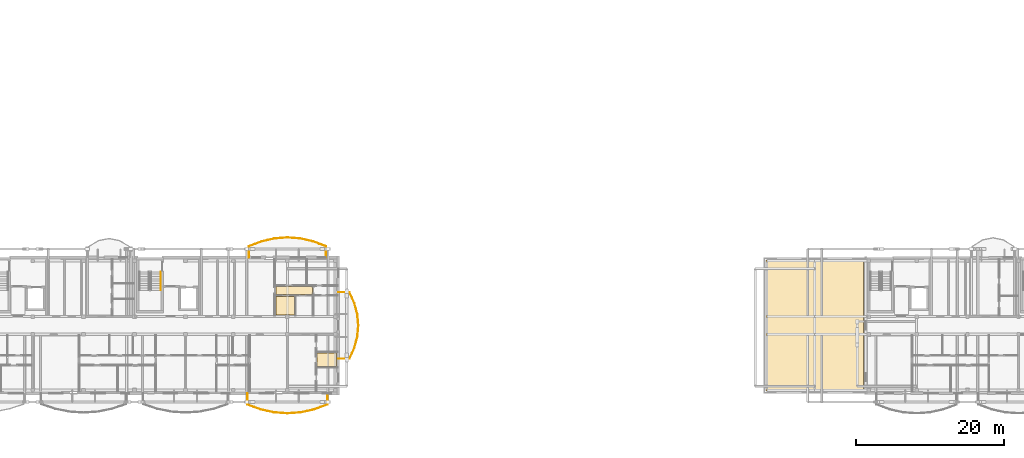
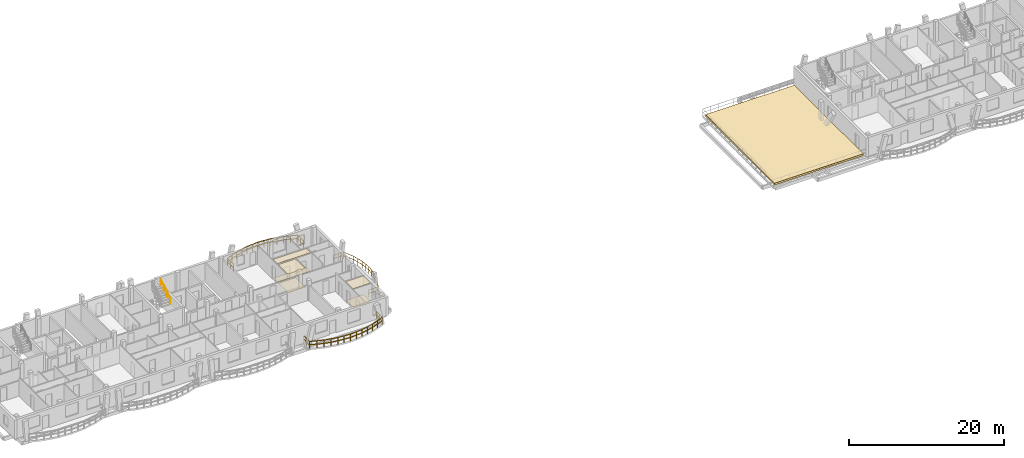
# One storey, part 39 of 48: 7 coverings, 4 railings.
"""IFC4 building model written with IfcOpenShell, lengths in metres."""

from ifc_helpers import new_model, si_unit, direction, frame, origin, origin_2d, place, context, subcontext, project, spatial, polyline, rectangle, outline, extrude, material, layer, layer_set, type_object, element, save


model = new_model("IFC4")

# Units and contexts
model_context = context("Model", 3, precision=1e-05, world=origin(), true_north=direction((0.0, 1.0)))
body_context = subcontext(model_context, "Body", "Model", "MODEL_VIEW")
ifc_project = project(units=[si_unit("LENGTHUNIT", "METRE"), si_unit("AREAUNIT", "SQUARE_METRE"), si_unit("VOLUMEUNIT", "CUBIC_METRE"), si_unit("PLANEANGLEUNIT", "RADIAN"), si_unit("MASSUNIT", "GRAM", prefix="KILO")], contexts=[model_context])

# Site, building, storey
site_placement = place(None, origin())
site = spatial("IfcSite", under=ifc_project, at=site_placement, CompositionType="ELEMENT")
building_placement = place(site_placement, origin())
building = spatial("IfcBuilding", under=site, at=building_placement, Name="Zavelmont Quarter", CompositionType="ELEMENT")
storey_placement = place(building_placement, frame((0.0, 0.0, 17.60009765625)))
storey = spatial("IfcBuildingStorey", under=building, at=storey_placement, Name="L05", CompositionType="ELEMENT", Elevation=17.60009765625)

# Coverings
ifc_material_1 = material(Name="Perforated acoustic gypsum board")
ifc_layer_1 = layer(ifc_material_1, 0.02490234375)
ifc_layer_set_1 = layer_set([ifc_layer_1], Name="Perforated acoustic gypsum board")
covering_type_1 = type_object("IfcCoveringType", Name="CV-CL01", PredefinedType="CEILING", material=ifc_layer_set_1)
covering_1_placement = place(storey_placement, frame((0.0, 0.0, 2.9248046875)))
element("IfcCovering", 1, at=covering_1_placement, inside=storey, type_object=covering_type_1, Name="L05 Kitchen acoustic ceiling", PredefinedType="CEILING", context=body_context, shape_type="SweptSolid", body=[
    extrude(outline(polyline([(46.72998046875, 13.1201171875), (49.27001953125, 13.1201171875), (49.27001953125, 10.6298828125), (48.590087890625, 10.6298828125), (48.590087890625, 10.68994140625), (48.010009765625, 10.68994140625), (48.010009765625, 10.6298828125), (46.72998046875, 10.6298828125), (46.72998046875, 13.1201171875)])), origin(), (0.0, 0.0, 1.0), 0.025146484375),
])
ifc_material_2 = material(Name="Slatted European ash acoustic baffle ceiling")
ifc_layer_2 = layer(ifc_material_2, 0.0400390625)
ifc_layer_set_2 = layer_set([ifc_layer_2], Name="Slatted European ash acoustic baffle ceiling")
covering_type_2 = type_object("IfcCoveringType", Name="CV-CL02", PredefinedType="CEILING", material=ifc_layer_set_2)
covering_2_placement = place(storey_placement, frame((0.0, 0.0, 2.909912109375)))
element("IfcCovering", 2, at=covering_2_placement, inside=storey, type_object=covering_type_2, Name="L05 Apartment Hall acoustic ceiling", PredefinedType="CEILING", context=body_context, shape_type="SweptSolid", body=[
    extrude(outline(polyline([(46.72998046875, 14.469970703125), (51.669921875, 14.469970703125), (51.669921875, 13.3798828125), (46.72998046875, 13.3798828125), (46.72998046875, 14.469970703125)])), origin(), (0.0, 0.0, 1.0), 0.0400390625),
])
ifc_material_3 = material(Name="Moisture-resistant painted gypsum ceiling")
ifc_layer_3 = layer(ifc_material_3, 0.02001953125)
ifc_layer_set_3 = layer_set([ifc_layer_3], Name="Moisture-resistant painted gypsum ceiling")
covering_type_3 = type_object("IfcCoveringType", Name="CV-CL04", PredefinedType="CEILING", material=ifc_layer_set_3)
covering_3_placement = place(storey_placement, frame((0.0, 0.0, 2.929931640625)))
element("IfcCovering", 3, at=covering_3_placement, inside=storey, type_object=covering_type_3, Name="L05 Bathroom acoustic ceiling", PredefinedType="CEILING", context=body_context, shape_type="SweptSolid", body=[
    extrude(outline(polyline([(52.330078125, 5.469970703125), (54.969970703125, 5.469970703125), (54.969970703125, 3.6298828125), (52.330078125, 3.6298828125), (52.330078125, 5.469970703125)])), origin(), (0.0, 0.0, 1.0), 0.02001953125),
])
ifc_material_4 = material(Name="Engineered European oak parquet")
ifc_layer_4 = layer(ifc_material_4, 0.02197265625)
ifc_layer_set_4 = layer_set([ifc_layer_4], Name="Engineered European oak parquet")
covering_type_4 = type_object("IfcCoveringType", Name="CV-FL01", PredefinedType="FLOORING", material=ifc_layer_set_4)
covering_4_placement = place(storey_placement, origin())
element("IfcCovering", 4, at=covering_4_placement, inside=storey, type_object=covering_type_4, Name="L05 Kitchen floor finish", PredefinedType="FLOORING", context=body_context, shape_type="SweptSolid", body=[
    extrude(outline(polyline([(46.72998046875, 13.1201171875), (49.27001953125, 13.1201171875), (49.27001953125, 10.6298828125), (48.590087890625, 10.6298828125), (48.590087890625, 10.68994140625), (48.010009765625, 10.68994140625), (48.010009765625, 10.6298828125), (46.72998046875, 10.6298828125), (46.72998046875, 13.1201171875)])), origin(), (0.0, 0.0, 1.0), 0.02197265625),
])
ifc_material_5 = material(Name="Honed Belgian bluestone tile", Category="masonry")
ifc_layer_5 = layer(ifc_material_5, 0.030029296875)
ifc_layer_set_5 = layer_set([ifc_layer_5], Name="Honed Belgian bluestone tile")
covering_type_5 = type_object("IfcCoveringType", Name="CV-FL02", PredefinedType="FLOORING", material=ifc_layer_set_5)
covering_5_placement = place(storey_placement, origin())
element("IfcCovering", 5, at=covering_5_placement, inside=storey, type_object=covering_type_5, Name="L05 Apartment Hall floor finish", PredefinedType="FLOORING", context=body_context, shape_type="SweptSolid", body=[
    extrude(outline(polyline([(46.72998046875, 14.469970703125), (51.669921875, 14.469970703125), (51.669921875, 13.3798828125), (46.72998046875, 13.3798828125), (46.72998046875, 14.469970703125)])), origin(), (0.0, 0.0, 1.0), 0.02978515625),
])
ifc_material_6 = material(Name="Slip-resistant porcelain tile")
ifc_layer_6 = layer(ifc_material_6, 0.02587890625)
ifc_layer_set_6 = layer_set([ifc_layer_6], Name="Slip-resistant porcelain tile")
covering_type_6 = type_object("IfcCoveringType", Name="CV-FL04", PredefinedType="FLOORING", material=ifc_layer_set_6)
covering_6_placement = place(storey_placement, origin())
element("IfcCovering", 6, at=covering_6_placement, inside=storey, type_object=covering_type_6, Name="L05 Bathroom floor finish", PredefinedType="FLOORING", context=body_context, shape_type="SweptSolid", body=[
    extrude(outline(polyline([(52.330078125, 5.469970703125), (54.969970703125, 5.469970703125), (54.969970703125, 3.6298828125), (52.330078125, 3.6298828125), (52.330078125, 5.469970703125)])), origin(), (0.0, 0.0, 1.0), 0.02587890625),
])
ifc_material_7 = material(Name="EPDM waterproofing membrane and mineral insulation")
ifc_layer_7 = layer(ifc_material_7, 0.280029296875)
ifc_layer_set_7 = layer_set([ifc_layer_7], Name="EPDM waterproofing membrane and mineral insulation")
covering_type_7 = type_object("IfcCoveringType", Name="CV-RF02", PredefinedType="ROOFING", material=ifc_layer_set_7)
covering_7_placement = place(storey_placement, origin())
element("IfcCovering", 7, at=covering_7_placement, inside=storey, type_object=covering_type_7, Name="L05 roof build-up CV-RF02", PredefinedType="ROOFING", context=body_context, shape_type="SweptSolid", body=[
    extrude(outline(polyline([(113.10009765625, 0.300048828125), (126.300048828125, 0.300048828125), (126.300048828125, 18.10009765625), (113.10009765625, 18.10009765625), (113.10009765625, 0.300048828125)])), origin(), (0.0, 0.0, 1.0), 0.27978515625),
])

# Railings
ifc_material_8 = material(Name="Powder-coated steel and tempered double safety glass", Category="steel")
railing_type_1 = type_object("IfcRailingType", Name="RL-BAL1", PredefinedType="BALUSTRADE", material=ifc_material_8)
railing_1_placement = place(storey_placement, frame((42.89306640625, -0.02001953125, 0.0)))
element("IfcRailing", 8, at=railing_1_placement, inside=storey, type_object=railing_type_1, Name="L05 Block A curved balcony guard RL-BAL1", PredefinedType="BALUSTRADE", context=body_context, shape_type="SweptSolid", body=[
    extrude(rectangle(XDim=0.048095703125, YDim=0.048095703125, at=origin_2d()), frame((0.0, 0.0, 1.076171875), z_axis=(0.0, -1.0, 0.0), x_axis=(1.0, 0.0, 0.0)), (0.0, 0.0, 1.0), 1.495849609375),
    extrude(rectangle(XDim=0.048095703125, YDim=0.048095703125, at=origin_2d()), frame((0.0, 0.0, 0.550048828125), z_axis=(0.0, -1.0, 0.0), x_axis=(1.0, 0.0, 0.0)), (0.0, 0.0, 1.0), 1.495849609375),
    extrude(rectangle(XDim=0.048095703125, YDim=0.048095703125, at=origin_2d()), frame((0.0, -1.495849609375, 1.076171875), z_axis=(0.938741978736, -0.344620802272, 0.0), x_axis=(0.344620802272, 0.938741978736, 0.0)), (0.0, 0.0, 1.0), 1.919921875),
    extrude(rectangle(XDim=0.048095703125, YDim=0.048095703125, at=origin_2d()), frame((0.0, -1.495849609375, 0.550048828125), z_axis=(0.938741978736, -0.344620802272, 0.0), x_axis=(0.344620802272, 0.938741978736, 0.0)), (0.0, 0.0, 1.0), 1.919921875),
    extrude(rectangle(XDim=0.048095703125, YDim=0.048095703125, at=origin_2d()), frame((1.80224609375, -2.157470703125, 1.076171875), z_axis=(0.976568352583, -0.215207464398, 0.0), x_axis=(0.215207464398, 0.976568352583, 0.0)), (0.0, 0.0, 1.0), 1.845703125),
    extrude(rectangle(XDim=0.048095703125, YDim=0.048095703125, at=origin_2d()), frame((1.80224609375, -2.157470703125, 0.550048828125), z_axis=(0.976568352583, -0.215207464398, 0.0), x_axis=(0.215207464398, 0.976568352583, 0.0)), (0.0, 0.0, 1.0), 1.845703125),
    extrude(rectangle(XDim=0.048095703125, YDim=0.048095703125, at=origin_2d()), frame((3.604736328125, -2.5546875, 1.076171875), z_axis=(0.997315465842, -0.073224733471, 0.0), x_axis=(0.073224733471, 0.997315465842, 0.0)), (0.0, 0.0, 1.0), 1.80712890625),
    extrude(rectangle(XDim=0.048095703125, YDim=0.048095703125, at=origin_2d()), frame((3.604736328125, -2.5546875, 0.550048828125), z_axis=(0.997315465842, -0.073224733471, 0.0), x_axis=(0.073224733471, 0.997315465842, 0.0)), (0.0, 0.0, 1.0), 1.80712890625),
    extrude(rectangle(XDim=0.048095703125, YDim=0.048095703125, at=origin_2d()), frame((5.406982421875, -2.68701171875, 1.076171875), z_axis=(0.997315465842, 0.073224733471, 0.0), x_axis=(-0.073224733471, 0.997315465842, 0.0)), (0.0, 0.0, 1.0), 1.80712890625),
    extrude(rectangle(XDim=0.048095703125, YDim=0.048095703125, at=origin_2d()), frame((5.406982421875, -2.68701171875, 0.550048828125), z_axis=(0.997315465842, 0.073224733471, 0.0), x_axis=(-0.073224733471, 0.997315465842, 0.0)), (0.0, 0.0, 1.0), 1.80712890625),
    extrude(rectangle(XDim=0.048095703125, YDim=0.048095703125, at=origin_2d()), frame((7.209228515625, -2.5546875, 1.076171875), z_axis=(0.976568352583, 0.215207464398, 0.0), x_axis=(-0.215207464398, 0.976568352583, 0.0)), (0.0, 0.0, 1.0), 1.845703125),
    extrude(rectangle(XDim=0.048095703125, YDim=0.048095703125, at=origin_2d()), frame((7.209228515625, -2.5546875, 0.550048828125), z_axis=(0.976568352583, 0.215207464398, 0.0), x_axis=(-0.215207464398, 0.976568352583, 0.0)), (0.0, 0.0, 1.0), 1.845703125),
    extrude(rectangle(XDim=0.048095703125, YDim=0.048095703125, at=origin_2d()), frame((9.01171875, -2.157470703125, 1.076171875), z_axis=(0.938741978736, 0.344620802272, 0.0), x_axis=(-0.344620802272, 0.938741978736, 0.0)), (0.0, 0.0, 1.0), 1.919921875),
    extrude(rectangle(XDim=0.048095703125, YDim=0.048095703125, at=origin_2d()), frame((9.01171875, -2.157470703125, 0.550048828125), z_axis=(0.938741978736, 0.344620802272, 0.0), x_axis=(-0.344620802272, 0.938741978736, 0.0)), (0.0, 0.0, 1.0), 1.919921875),
    extrude(rectangle(XDim=0.048095703125, YDim=0.048095703125, at=origin_2d()), frame((10.81396484375, -1.495849609375, 1.076171875), z_axis=(0.0, 1.0, 0.0), x_axis=(-1.0, 0.0, 0.0)), (0.0, 0.0, 1.0), 1.495849609375),
    extrude(rectangle(XDim=0.048095703125, YDim=0.048095703125, at=origin_2d()), frame((10.81396484375, -1.495849609375, 0.550048828125), z_axis=(0.0, 1.0, 0.0), x_axis=(-1.0, 0.0, 0.0)), (0.0, 0.0, 1.0), 1.495849609375),
    extrude(rectangle(XDim=0.0419921875, YDim=0.0419921875, at=origin_2d()), origin(), (0.0, 0.0, 1.0), 1.052001953125),
    extrude(rectangle(XDim=0.0419921875, YDim=0.0419921875, at=origin_2d()), frame((0.0, -0.748046875, 0.0)), (0.0, 0.0, 1.0), 1.052001953125),
    extrude(rectangle(XDim=0.0419921875, YDim=0.0419921875, at=origin_2d()), frame((0.0, -1.495849609375, 0.0)), (0.0, 0.0, 1.0), 1.052001953125),
    extrude(rectangle(XDim=0.0419921875, YDim=0.0419921875, at=origin_2d()), frame((0.901123046875, -1.82666015625, 0.0)), (0.0, 0.0, 1.0), 1.052001953125),
    extrude(rectangle(XDim=0.0419921875, YDim=0.0419921875, at=origin_2d()), frame((1.80224609375, -2.157470703125, 0.0)), (0.0, 0.0, 1.0), 1.052001953125),
    extrude(rectangle(XDim=0.0419921875, YDim=0.0419921875, at=origin_2d()), frame((2.70361328125, -2.35595703125, 0.0)), (0.0, 0.0, 1.0), 1.052001953125),
    extrude(rectangle(XDim=0.0419921875, YDim=0.0419921875, at=origin_2d()), frame((3.604736328125, -2.5546875, 0.0)), (0.0, 0.0, 1.0), 1.052001953125),
    extrude(rectangle(XDim=0.0419921875, YDim=0.0419921875, at=origin_2d()), frame((4.505859375, -2.620849609375, 0.0)), (0.0, 0.0, 1.0), 1.052001953125),
    extrude(rectangle(XDim=0.0419921875, YDim=0.0419921875, at=origin_2d()), frame((5.406982421875, -2.68701171875, 0.0)), (0.0, 0.0, 1.0), 1.052001953125),
    extrude(rectangle(XDim=0.0419921875, YDim=0.0419921875, at=origin_2d()), frame((6.30810546875, -2.620849609375, 0.0)), (0.0, 0.0, 1.0), 1.052001953125),
    extrude(rectangle(XDim=0.0419921875, YDim=0.0419921875, at=origin_2d()), frame((7.209228515625, -2.5546875, 0.0)), (0.0, 0.0, 1.0), 1.052001953125),
    extrude(rectangle(XDim=0.0419921875, YDim=0.0419921875, at=origin_2d()), frame((8.1103515625, -2.35595703125, 0.0)), (0.0, 0.0, 1.0), 1.052001953125),
    extrude(rectangle(XDim=0.0419921875, YDim=0.0419921875, at=origin_2d()), frame((9.01171875, -2.157470703125, 0.0)), (0.0, 0.0, 1.0), 1.052001953125),
    extrude(rectangle(XDim=0.0419921875, YDim=0.0419921875, at=origin_2d()), frame((9.912841796875, -1.82666015625, 0.0)), (0.0, 0.0, 1.0), 1.052001953125),
    extrude(rectangle(XDim=0.0419921875, YDim=0.0419921875, at=origin_2d()), frame((10.81396484375, -1.495849609375, 0.0)), (0.0, 0.0, 1.0), 1.052001953125),
    extrude(rectangle(XDim=0.0419921875, YDim=0.0419921875, at=origin_2d()), frame((10.81396484375, -0.748046875, 0.0)), (0.0, 0.0, 1.0), 1.052001953125),
    extrude(rectangle(XDim=0.0419921875, YDim=0.0419921875, at=origin_2d()), frame((10.81396484375, 0.0, 0.0)), (0.0, 0.0, 1.0), 1.052001953125),
])
railing_2_placement = place(storey_placement, frame((55.219970703125, 4.689453125, 0.0)))
element("IfcRailing", 9, at=railing_2_placement, inside=storey, type_object=railing_type_1, Name="L05 Block A curved balcony guard RL-BAL1", PredefinedType="BALUSTRADE", context=body_context, shape_type="SweptSolid", body=[
    extrude(rectangle(XDim=0.048095703125, YDim=0.048095703125, at=origin_2d()), frame((0.0, 0.0, 1.076171875), z_axis=(1.0, 0.0, 0.0), x_axis=(0.0, 1.0, 0.0)), (0.0, 0.0, 1.0), 1.495849609375),
    extrude(rectangle(XDim=0.048095703125, YDim=0.048095703125, at=origin_2d()), frame((0.0, 0.0, 0.550048828125), z_axis=(1.0, 0.0, 0.0), x_axis=(0.0, 1.0, 0.0)), (0.0, 0.0, 1.0), 1.495849609375),
    extrude(rectangle(XDim=0.048095703125, YDim=0.048095703125, at=origin_2d()), frame((1.495849609375, 0.0, 1.076171875), z_axis=(0.402922893371, 0.915233927473, 0.0), x_axis=(-0.915233927473, 0.402922893371, 0.0)), (0.0, 0.0, 1.0), 1.642578125),
    extrude(rectangle(XDim=0.048095703125, YDim=0.048095703125, at=origin_2d()), frame((1.495849609375, 0.0, 0.550048828125), z_axis=(0.402922893371, 0.915233927473, 0.0), x_axis=(-0.915233927473, 0.402922893371, 0.0)), (0.0, 0.0, 1.0), 1.642578125),
    extrude(rectangle(XDim=0.048095703125, YDim=0.048095703125, at=origin_2d()), frame((2.15771484375, 1.50341796875, 1.076171875), z_axis=(0.25525821833, 0.966872919248, 0.0), x_axis=(-0.966872919248, 0.25525821833, 0.0)), (0.0, 0.0, 1.0), 1.55517578125),
    extrude(rectangle(XDim=0.048095703125, YDim=0.048095703125, at=origin_2d()), frame((2.15771484375, 1.50341796875, 0.550048828125), z_axis=(0.25525821833, 0.966872919248, 0.0), x_axis=(-0.966872919248, 0.25525821833, 0.0)), (0.0, 0.0, 1.0), 1.55517578125),
    extrude(rectangle(XDim=0.048095703125, YDim=0.048095703125, at=origin_2d()), frame((2.5546875, 3.007080078125, 1.076171875), z_axis=(0.087676640405, 0.996148988218, 0.0), x_axis=(-0.996148988218, 0.087676640405, 0.0)), (0.0, 0.0, 1.0), 1.50927734375),
    extrude(rectangle(XDim=0.048095703125, YDim=0.048095703125, at=origin_2d()), frame((2.5546875, 3.007080078125, 0.550048828125), z_axis=(0.087676640405, 0.996148988218, 0.0), x_axis=(-0.996148988218, 0.087676640405, 0.0)), (0.0, 0.0, 1.0), 1.50927734375),
    extrude(rectangle(XDim=0.048095703125, YDim=0.048095703125, at=origin_2d()), frame((2.68701171875, 4.510498046875, 1.076171875), z_axis=(-0.087662514278, 0.996150231436, 0.0), x_axis=(-0.996150231436, -0.087662514278, 0.0)), (0.0, 0.0, 1.0), 1.509521484375),
    extrude(rectangle(XDim=0.048095703125, YDim=0.048095703125, at=origin_2d()), frame((2.68701171875, 4.510498046875, 0.550048828125), z_axis=(-0.087662514278, 0.996150231436, 0.0), x_axis=(-0.996150231436, -0.087662514278, 0.0)), (0.0, 0.0, 1.0), 1.509521484375),
    extrude(rectangle(XDim=0.048095703125, YDim=0.048095703125, at=origin_2d()), frame((2.5546875, 6.01416015625, 1.076171875), z_axis=(-0.255296968352, 0.96686268826, 0.0), x_axis=(-0.96686268826, -0.255296968352, 0.0)), (0.0, 0.0, 1.0), 1.554931640625),
    extrude(rectangle(XDim=0.048095703125, YDim=0.048095703125, at=origin_2d()), frame((2.5546875, 6.01416015625, 0.550048828125), z_axis=(-0.255296968352, 0.96686268826, 0.0), x_axis=(-0.96686268826, -0.255296968352, 0.0)), (0.0, 0.0, 1.0), 1.554931640625),
    extrude(rectangle(XDim=0.048095703125, YDim=0.048095703125, at=origin_2d()), frame((2.15771484375, 7.517578125, 1.076171875), z_axis=(-0.402868091784, 0.915258051383, 0.0), x_axis=(-0.915258051383, -0.402868091784, 0.0)), (0.0, 0.0, 1.0), 1.642822265625),
    extrude(rectangle(XDim=0.048095703125, YDim=0.048095703125, at=origin_2d()), frame((2.15771484375, 7.517578125, 0.550048828125), z_axis=(-0.402868091784, 0.915258051383, 0.0), x_axis=(-0.915258051383, -0.402868091784, 0.0)), (0.0, 0.0, 1.0), 1.642822265625),
    extrude(rectangle(XDim=0.048095703125, YDim=0.048095703125, at=origin_2d()), frame((1.495849609375, 9.021240234375, 1.076171875), z_axis=(-1.0, 0.0, 0.0), x_axis=(0.0, -1.0, 0.0)), (0.0, 0.0, 1.0), 1.495849609375),
    extrude(rectangle(XDim=0.048095703125, YDim=0.048095703125, at=origin_2d()), frame((1.495849609375, 9.021240234375, 0.550048828125), z_axis=(-1.0, 0.0, 0.0), x_axis=(0.0, -1.0, 0.0)), (0.0, 0.0, 1.0), 1.495849609375),
    extrude(rectangle(XDim=0.0419921875, YDim=0.0419921875, at=origin_2d()), origin(), (0.0, 0.0, 1.0), 1.052001953125),
    extrude(rectangle(XDim=0.0419921875, YDim=0.0419921875, at=origin_2d()), frame((0.748046875, 0.0, 0.0)), (0.0, 0.0, 1.0), 1.052001953125),
    extrude(rectangle(XDim=0.0419921875, YDim=0.0419921875, at=origin_2d()), frame((1.495849609375, 0.0, 0.0)), (0.0, 0.0, 1.0), 1.052001953125),
    extrude(rectangle(XDim=0.0419921875, YDim=0.0419921875, at=origin_2d()), frame((1.82666015625, 0.751708984375, 0.0)), (0.0, 0.0, 1.0), 1.052001953125),
    extrude(rectangle(XDim=0.0419921875, YDim=0.0419921875, at=origin_2d()), frame((2.15771484375, 1.50341796875, 0.0)), (0.0, 0.0, 1.0), 1.052001953125),
    extrude(rectangle(XDim=0.0419921875, YDim=0.0419921875, at=origin_2d()), frame((2.356201171875, 2.25537109375, 0.0)), (0.0, 0.0, 1.0), 1.052001953125),
    extrude(rectangle(XDim=0.0419921875, YDim=0.0419921875, at=origin_2d()), frame((2.5546875, 3.007080078125, 0.0)), (0.0, 0.0, 1.0), 1.052001953125),
    extrude(rectangle(XDim=0.0419921875, YDim=0.0419921875, at=origin_2d()), frame((2.620849609375, 3.7587890625, 0.0)), (0.0, 0.0, 1.0), 1.052001953125),
    extrude(rectangle(XDim=0.0419921875, YDim=0.0419921875, at=origin_2d()), frame((2.68701171875, 4.510498046875, 0.0)), (0.0, 0.0, 1.0), 1.052001953125),
    extrude(rectangle(XDim=0.0419921875, YDim=0.0419921875, at=origin_2d()), frame((2.620849609375, 5.26220703125, 0.0)), (0.0, 0.0, 1.0), 1.052001953125),
    extrude(rectangle(XDim=0.0419921875, YDim=0.0419921875, at=origin_2d()), frame((2.5546875, 6.01416015625, 0.0)), (0.0, 0.0, 1.0), 1.052001953125),
    extrude(rectangle(XDim=0.0419921875, YDim=0.0419921875, at=origin_2d()), frame((2.356201171875, 6.765869140625, 0.0)), (0.0, 0.0, 1.0), 1.052001953125),
    extrude(rectangle(XDim=0.0419921875, YDim=0.0419921875, at=origin_2d()), frame((2.15771484375, 7.517578125, 0.0)), (0.0, 0.0, 1.0), 1.052001953125),
    extrude(rectangle(XDim=0.0419921875, YDim=0.0419921875, at=origin_2d()), frame((1.82666015625, 8.26953125, 0.0)), (0.0, 0.0, 1.0), 1.052001953125),
    extrude(rectangle(XDim=0.0419921875, YDim=0.0419921875, at=origin_2d()), frame((1.495849609375, 9.021240234375, 0.0)), (0.0, 0.0, 1.0), 1.052001953125),
    extrude(rectangle(XDim=0.0419921875, YDim=0.0419921875, at=origin_2d()), frame((0.748046875, 9.021240234375, 0.0)), (0.0, 0.0, 1.0), 1.052001953125),
    extrude(rectangle(XDim=0.0419921875, YDim=0.0419921875, at=origin_2d()), frame((0.0, 9.021240234375, 0.0)), (0.0, 0.0, 1.0), 1.052001953125),
])
railing_3_placement = place(storey_placement, frame((53.521728515625, 18.419921875, 0.0)))
element("IfcRailing", 10, at=railing_3_placement, inside=storey, type_object=railing_type_1, Name="L05 Block A curved balcony guard RL-BAL1", PredefinedType="BALUSTRADE", context=body_context, shape_type="SweptSolid", body=[
    extrude(rectangle(XDim=0.048095703125, YDim=0.048095703125, at=origin_2d()), frame((0.0, 0.0, 1.076171875), z_axis=(0.0, 1.0, 0.0), x_axis=(-1.0, 0.0, 0.0)), (0.0, 0.0, 1.0), 1.49609375),
    extrude(rectangle(XDim=0.048095703125, YDim=0.048095703125, at=origin_2d()), frame((0.0, 0.0, 0.550048828125), z_axis=(0.0, 1.0, 0.0), x_axis=(-1.0, 0.0, 0.0)), (0.0, 0.0, 1.0), 1.49609375),
    extrude(rectangle(XDim=0.048095703125, YDim=0.048095703125, at=origin_2d()), frame((0.0, 1.49609375, 1.076171875), z_axis=(-0.934757458468, 0.355286495435, 0.0), x_axis=(-0.355286495435, -0.934757458468, 0.0)), (0.0, 0.0, 1.0), 1.8623046875),
    extrude(rectangle(XDim=0.048095703125, YDim=0.048095703125, at=origin_2d()), frame((0.0, 1.49609375, 0.550048828125), z_axis=(-0.934757458468, 0.355286495435, 0.0), x_axis=(-0.355286495435, -0.934757458468, 0.0)), (0.0, 0.0, 1.0), 1.8623046875),
    extrude(rectangle(XDim=0.048095703125, YDim=0.048095703125, at=origin_2d()), frame((-1.74072265625, 2.15771484375, 1.076171875), z_axis=(-0.974961952699, 0.222371740088, 0.0), x_axis=(-0.222371740088, -0.974961952699, 0.0)), (0.0, 0.0, 1.0), 1.78515625),
    extrude(rectangle(XDim=0.048095703125, YDim=0.048095703125, at=origin_2d()), frame((-1.74072265625, 2.15771484375, 0.550048828125), z_axis=(-0.974961952699, 0.222371740088, 0.0), x_axis=(-0.222371740088, -0.974961952699, 0.0)), (0.0, 0.0, 1.0), 1.78515625),
    extrude(rectangle(XDim=0.048095703125, YDim=0.048095703125, at=origin_2d()), frame((-3.481201171875, 2.5546875, 1.076171875), z_axis=(-0.997122379012, 0.075808715027, 0.0), x_axis=(-0.075808715027, -0.997122379012, 0.0)), (0.0, 0.0, 1.0), 1.74560546875),
    extrude(rectangle(XDim=0.048095703125, YDim=0.048095703125, at=origin_2d()), frame((-3.481201171875, 2.5546875, 0.550048828125), z_axis=(-0.997122379012, 0.075808715027, 0.0), x_axis=(-0.075808715027, -0.997122379012, 0.0)), (0.0, 0.0, 1.0), 1.74560546875),
    extrude(rectangle(XDim=0.048095703125, YDim=0.048095703125, at=origin_2d()), frame((-5.2216796875, 2.68701171875, 1.076171875), z_axis=(-0.997123182662, -0.075798143759, 0.0), x_axis=(0.075798143759, -0.997123182662, 0.0)), (0.0, 0.0, 1.0), 1.745849609375),
    extrude(rectangle(XDim=0.048095703125, YDim=0.048095703125, at=origin_2d()), frame((-5.2216796875, 2.68701171875, 0.550048828125), z_axis=(-0.997123182662, -0.075798143759, 0.0), x_axis=(0.075798143759, -0.997123182662, 0.0)), (0.0, 0.0, 1.0), 1.745849609375),
    extrude(rectangle(XDim=0.048095703125, YDim=0.048095703125, at=origin_2d()), frame((-6.96240234375, 2.5546875, 1.076171875), z_axis=(-0.974961952699, -0.222371740088, 0.0), x_axis=(0.222371740088, -0.974961952699, 0.0)), (0.0, 0.0, 1.0), 1.78515625),
    extrude(rectangle(XDim=0.048095703125, YDim=0.048095703125, at=origin_2d()), frame((-6.96240234375, 2.5546875, 0.550048828125), z_axis=(-0.974961952699, -0.222371740088, 0.0), x_axis=(0.222371740088, -0.974961952699, 0.0)), (0.0, 0.0, 1.0), 1.78515625),
    extrude(rectangle(XDim=0.048095703125, YDim=0.048095703125, at=origin_2d()), frame((-8.702880859375, 2.15771484375, 1.076171875), z_axis=(-0.934740906614, -0.355330040247, 0.0), x_axis=(0.355330040247, -0.934740906614, 0.0)), (0.0, 0.0, 1.0), 1.862060546875),
    extrude(rectangle(XDim=0.048095703125, YDim=0.048095703125, at=origin_2d()), frame((-8.702880859375, 2.15771484375, 0.550048828125), z_axis=(-0.934740906614, -0.355330040247, 0.0), x_axis=(0.355330040247, -0.934740906614, 0.0)), (0.0, 0.0, 1.0), 1.862060546875),
    extrude(rectangle(XDim=0.048095703125, YDim=0.048095703125, at=origin_2d()), frame((-10.443359375, 1.49609375, 1.076171875), z_axis=(0.0, -1.0, 0.0), x_axis=(1.0, 0.0, 0.0)), (0.0, 0.0, 1.0), 1.49609375),
    extrude(rectangle(XDim=0.048095703125, YDim=0.048095703125, at=origin_2d()), frame((-10.443359375, 1.49609375, 0.550048828125), z_axis=(0.0, -1.0, 0.0), x_axis=(1.0, 0.0, 0.0)), (0.0, 0.0, 1.0), 1.49609375),
    extrude(rectangle(XDim=0.0419921875, YDim=0.0419921875, at=origin_2d()), origin(), (0.0, 0.0, 1.0), 1.052001953125),
    extrude(rectangle(XDim=0.0419921875, YDim=0.0419921875, at=origin_2d()), frame((0.0, 0.748046875, 0.0)), (0.0, 0.0, 1.0), 1.052001953125),
    extrude(rectangle(XDim=0.0419921875, YDim=0.0419921875, at=origin_2d()), frame((0.0, 1.49609375, 0.0)), (0.0, 0.0, 1.0), 1.052001953125),
    extrude(rectangle(XDim=0.0419921875, YDim=0.0419921875, at=origin_2d()), frame((-0.870361328125, 1.826904296875, 0.0)), (0.0, 0.0, 1.0), 1.052001953125),
    extrude(rectangle(XDim=0.0419921875, YDim=0.0419921875, at=origin_2d()), frame((-1.74072265625, 2.15771484375, 0.0)), (0.0, 0.0, 1.0), 1.052001953125),
    extrude(rectangle(XDim=0.0419921875, YDim=0.0419921875, at=origin_2d()), frame((-2.61083984375, 2.356201171875, 0.0)), (0.0, 0.0, 1.0), 1.052001953125),
    extrude(rectangle(XDim=0.0419921875, YDim=0.0419921875, at=origin_2d()), frame((-3.481201171875, 2.5546875, 0.0)), (0.0, 0.0, 1.0), 1.052001953125),
    extrude(rectangle(XDim=0.0419921875, YDim=0.0419921875, at=origin_2d()), frame((-4.3515625, 2.620849609375, 0.0)), (0.0, 0.0, 1.0), 1.052001953125),
    extrude(rectangle(XDim=0.0419921875, YDim=0.0419921875, at=origin_2d()), frame((-5.2216796875, 2.68701171875, 0.0)), (0.0, 0.0, 1.0), 1.052001953125),
    extrude(rectangle(XDim=0.0419921875, YDim=0.0419921875, at=origin_2d()), frame((-6.092041015625, 2.620849609375, 0.0)), (0.0, 0.0, 1.0), 1.052001953125),
    extrude(rectangle(XDim=0.0419921875, YDim=0.0419921875, at=origin_2d()), frame((-6.96240234375, 2.5546875, 0.0)), (0.0, 0.0, 1.0), 1.052001953125),
    extrude(rectangle(XDim=0.0419921875, YDim=0.0419921875, at=origin_2d()), frame((-7.83251953125, 2.356201171875, 0.0)), (0.0, 0.0, 1.0), 1.052001953125),
    extrude(rectangle(XDim=0.0419921875, YDim=0.0419921875, at=origin_2d()), frame((-8.702880859375, 2.15771484375, 0.0)), (0.0, 0.0, 1.0), 1.052001953125),
    extrude(rectangle(XDim=0.0419921875, YDim=0.0419921875, at=origin_2d()), frame((-9.5732421875, 1.826904296875, 0.0)), (0.0, 0.0, 1.0), 1.052001953125),
    extrude(rectangle(XDim=0.0419921875, YDim=0.0419921875, at=origin_2d()), frame((-10.443359375, 1.49609375, 0.0)), (0.0, 0.0, 1.0), 1.052001953125),
    extrude(rectangle(XDim=0.0419921875, YDim=0.0419921875, at=origin_2d()), frame((-10.443359375, 0.748046875, 0.0)), (0.0, 0.0, 1.0), 1.052001953125),
    extrude(rectangle(XDim=0.0419921875, YDim=0.0419921875, at=origin_2d()), frame((-10.443359375, 0.0, 0.0)), (0.0, 0.0, 1.0), 1.052001953125),
])
ifc_material_9 = material(Name="Brushed stainless-steel wall handrail", Category="steel")
railing_type_2 = type_object("IfcRailingType", Name="RL-HND1", PredefinedType="HANDRAIL", material=ifc_material_9)
railing_4_placement = place(storey_placement, frame((31.14990234375, 13.969970703125, 1.777587890625)))
element("IfcRailing", 11, at=railing_4_placement, inside=storey, type_object=railing_type_2, Name="L05 ST02 stair handrail 2", PredefinedType="HANDRAIL", context=body_context, shape_type="SweptSolid", body=[
    extrude(rectangle(XDim=0.048095703125, YDim=0.048095703125, at=origin_2d()), frame((0.0, 0.0, 0.8759765625), z_axis=(0.0, 0.867453774394, 0.497517787913), x_axis=(-1.0, 0.0, 0.0)), (0.0, 0.0, 1.0), 2.85888671875),
    extrude(rectangle(XDim=0.0419921875, YDim=0.0419921875, at=origin_2d()), origin(), (0.0, 0.0, 1.0), 0.851806640625),
    extrude(rectangle(XDim=0.0419921875, YDim=0.0419921875, at=origin_2d()), frame((0.0, 0.82666015625, 0.47412109375)), (0.0, 0.0, 1.0), 0.851806640625),
    extrude(rectangle(XDim=0.0419921875, YDim=0.0419921875, at=origin_2d()), frame((0.0, 1.6533203125, 0.9482421875)), (0.0, 0.0, 1.0), 0.851806640625),
    extrude(rectangle(XDim=0.0419921875, YDim=0.0419921875, at=origin_2d()), frame((0.0, 2.47998046875, 1.42236328125)), (0.0, 0.0, 1.0), 0.851806640625),
])

save(model, "model.ifc")
